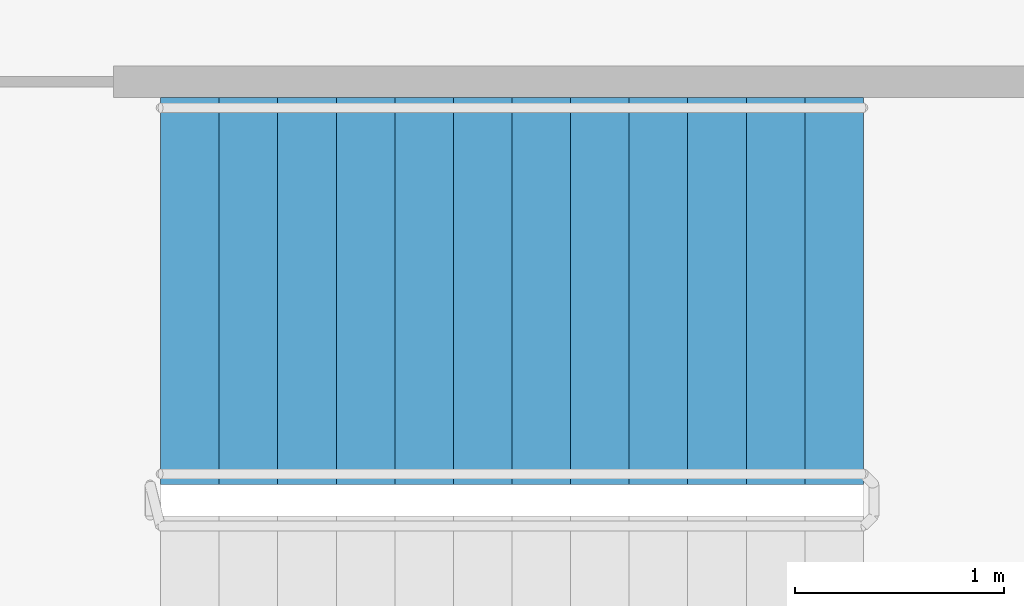
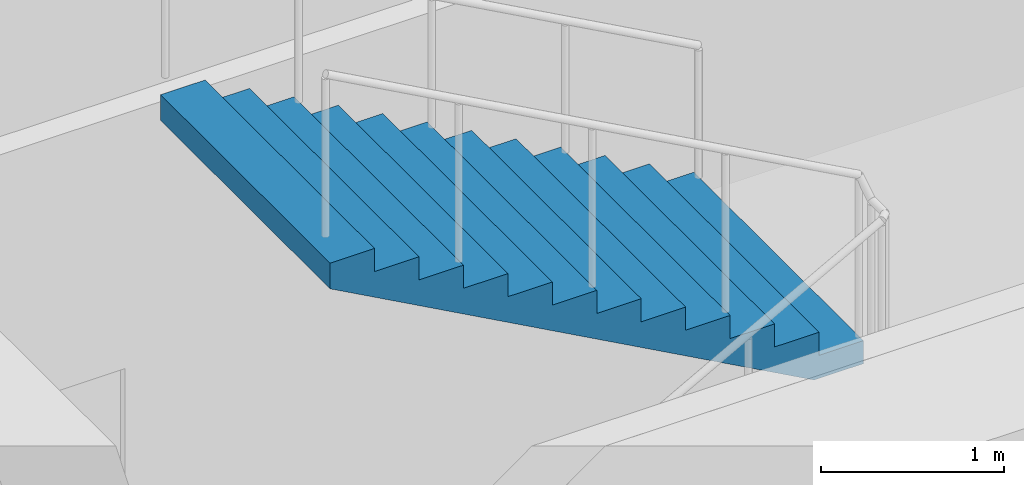
# One storey, part 8 of 10: 1 stair flight, 1 element without a shape of its own.
"""IFC4 building model written with IfcOpenShell, lengths in metres."""

from ifc_helpers import new_model, si_unit, direction, frame, origin, place, context, subcontext, project, spatial, polyline, outline, extrude, material, type_object, element, aggregate, save


model = new_model("IFC4")

# Units and contexts
model_context = context("Model", 3, precision=1e-05, world=origin(), true_north=direction((0.0, 1.0)))
body_context = subcontext(model_context, "Body", "Model", "MODEL_VIEW")
ifc_project = project(units=[si_unit("LENGTHUNIT", "METRE"), si_unit("AREAUNIT", "SQUARE_METRE"), si_unit("VOLUMEUNIT", "CUBIC_METRE"), si_unit("PLANEANGLEUNIT", "RADIAN"), si_unit("MASSUNIT", "GRAM", prefix="KILO")], contexts=[model_context])

# Site, building, storey
site_placement = place(None, origin())
site = spatial("IfcSite", under=ifc_project, at=site_placement, CompositionType="ELEMENT")
building_placement = place(site_placement, origin())
building = spatial("IfcBuilding", under=site, at=building_placement, Name="Zellij Exchange Tower", CompositionType="ELEMENT")
storey_placement = place(building_placement, frame((0.0, 0.0, 128.5)))
storey = spatial("IfcBuildingStorey", under=building, at=storey_placement, Name="L28", CompositionType="ELEMENT", Elevation=128.5)

# Stair, stair flight
ifc_material = material(Name="Concrete C40/50", Category="concrete")
stair_type = type_object("IfcStairType", Name="CORE-ST exit stair 1850 wide", PredefinedType="HALF_TURN_STAIR", material=ifc_material)
stair_placement = place(storey_placement, origin())
stair = element("IfcStair", 1, at=stair_placement, inside=storey, type_object=stair_type, Name="L28 exit stair ST4", PredefinedType="HALF_TURN_STAIR")
stair_flight_type = type_object("IfcStairFlightType", Name="CORE-SF flight 1850 riser 153.8 going 280", PredefinedType="STRAIGHT", material=ifc_material)
stair_flight_placement = place(storey_placement, frame((23.510009765625, -9.875, 2.0), z_axis=(0.0, 0.0, 1.0), x_axis=(-1.0, 0.0, 0.0)))
stair_flight = element("IfcStairFlight", 2, at=stair_flight_placement, type_object=stair_flight_type, Name="ST4 flight 2", NumberOfRisers=13, NumberOfTreads=12, PredefinedType="STRAIGHT", RiserHeight=0.153846154, TreadLength=0.28, context=body_context, shape_type="SweptSolid", body=[
    extrude(outline(polyline([(0.0, 0.0), (0.0, 0.15380859375), (0.280029296875, 0.15380859375), (0.280029296875, 0.3076171875), (0.56005859375, 0.3076171875), (0.56005859375, 0.46142578125), (0.840087890625, 0.46142578125), (0.840087890625, 0.615478515625), (1.1201171875, 0.615478515625), (1.1201171875, 0.769287109375), (1.39990234375, 0.769287109375), (1.39990234375, 0.923095703125), (1.679931640625, 0.923095703125), (1.679931640625, 1.076904296875), (1.9599609375, 1.076904296875), (1.9599609375, 1.230712890625), (2.239990234375, 1.230712890625), (2.239990234375, 1.384521484375), (2.52001953125, 1.384521484375), (2.52001953125, 1.53857421875), (2.800048828125, 1.53857421875), (2.800048828125, 1.6923828125), (3.080078125, 1.6923828125), (3.080078125, 1.84619140625), (3.360107421875, 1.84619140625), (3.360107421875, 2.0), (3.360107421875, 1.675048828125), (0.311279296875, 0.0), (0.0, 0.0)])), frame((0.0, 0.925048828125, 0.0), z_axis=(0.0, -1.0, 0.0), x_axis=(1.0, 0.0, 0.0)), (0.0, 0.0, 1.0), 1.85009765625),
])
aggregate(stair, [stair_flight])

save(model, "model.ifc")
